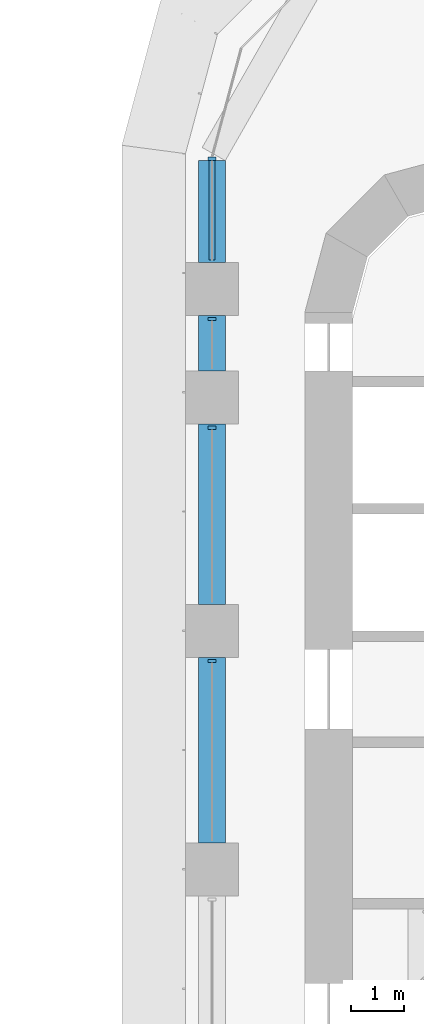
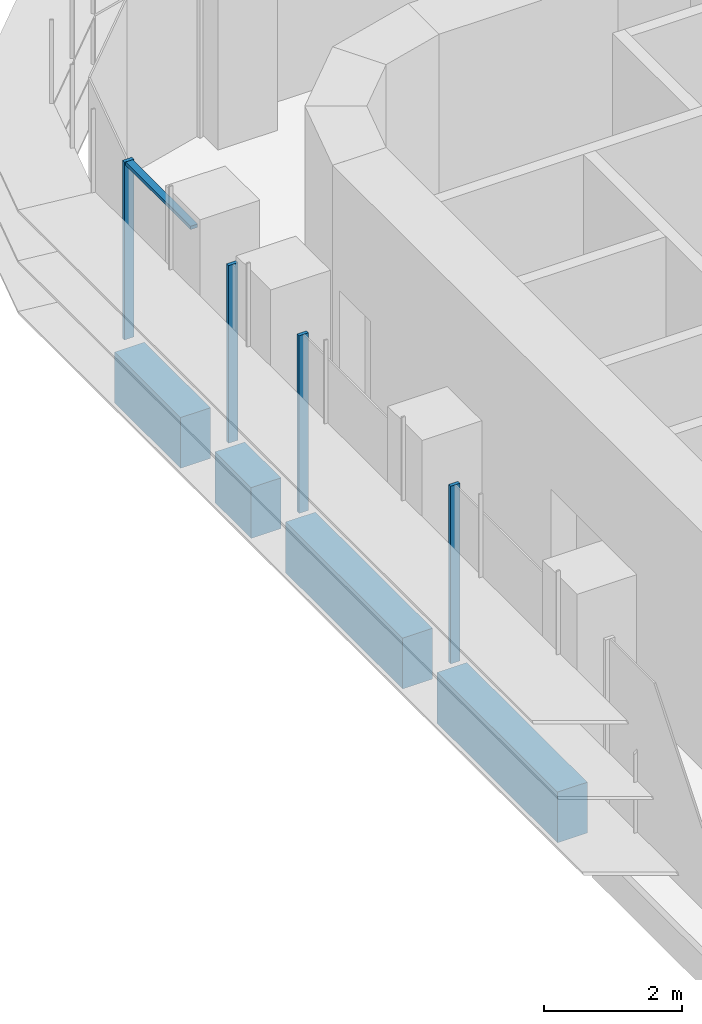
# One storey, part 7 of 23: 5 members, 4 beams, 1 element without a shape of its own.
"""IFC4 building model written with IfcOpenShell, lengths in metres."""

from ifc_helpers import new_model, si_unit, direction, frame, origin, origin_2d, place, context, subcontext, project, spatial, polyline, rectangle, outline, extrude, source, transform, mapped, material, material_profile, profile_set, type_object, element, aggregate, save


model = new_model("IFC4")

# Units and contexts
model_context = context("Model", 3, precision=1e-05, world=origin(), true_north=direction((0.0, 1.0)))
body_context = subcontext(model_context, "Body", "Model", "MODEL_VIEW")
ifc_project = project(units=[si_unit("LENGTHUNIT", "METRE"), si_unit("AREAUNIT", "SQUARE_METRE"), si_unit("VOLUMEUNIT", "CUBIC_METRE"), si_unit("PLANEANGLEUNIT", "RADIAN"), si_unit("MASSUNIT", "GRAM", prefix="KILO")], contexts=[model_context])

# Site, building, storey
site_placement = place(None, origin())
site = spatial("IfcSite", under=ifc_project, at=site_placement, CompositionType="ELEMENT")
building_placement = place(site_placement, origin())
building = spatial("IfcBuilding", under=site, at=building_placement, Name="Zarbagh Exchange Tower", CompositionType="ELEMENT")
storey_placement = place(building_placement, frame((0.0, 0.0, 52.199951171875)))
storey = spatial("IfcBuildingStorey", under=building, at=storey_placement, Name="L11", CompositionType="ELEMENT", Elevation=52.199951171875)

# Beams
ifc_material_1 = material(Name="Concrete C60/75", Category="concrete")
ifc_material_profile = material_profile(ifc_material_1, rectangle(XDim=0.5, YDim=0.89990234375, at=origin_2d()), Name="RC spandrel beam 500 x 900 C60/75")
ifc_profile_set = profile_set([ifc_material_profile], Name="Concrete C60/75")
beam_type = type_object("IfcBeamType", Name="RC spandrel beam 500 x 900 C60/75", PredefinedType="SPANDREL", material=ifc_profile_set)
beam_1_placement = place(storey_placement, frame((-6.25, 16.25, -0.599853515625), z_axis=(0.0, 1.0, 0.0), x_axis=(-1.0, 0.0, 0.0)))
element("IfcBeam", 1, at=beam_1_placement, inside=storey, type_object=beam_type, Name="RC spandrel beam", PredefinedType="SPANDREL", context=body_context, shape_type="SweptSolid", body=[
    extrude(rectangle(XDim=0.5, YDim=0.89990234375, at=origin_2d()), origin(), (0.0, 0.0, 1.0), 3.5),
])
beam_2_placement = place(storey_placement, frame((-6.25, 20.75, -0.599853515625), z_axis=(0.0, 1.0, 0.0), x_axis=(-1.0, 0.0, 0.0)))
element("IfcBeam", 2, at=beam_2_placement, inside=storey, type_object=beam_type, Name="RC spandrel beam", PredefinedType="SPANDREL", context=body_context, shape_type="SweptSolid", body=[
    extrude(rectangle(XDim=0.5, YDim=0.89990234375, at=origin_2d()), origin(), (0.0, 0.0, 1.0), 3.39990234375),
])
beam_3_placement = place(storey_placement, frame((-6.25, 25.14990234375, -0.599853515625), z_axis=(0.0, 1.0, 0.0), x_axis=(-1.0, 0.0, 0.0)))
element("IfcBeam", 3, at=beam_3_placement, inside=storey, type_object=beam_type, Name="RC spandrel beam", PredefinedType="SPANDREL", context=body_context, shape_type="SweptSolid", body=[
    extrude(rectangle(XDim=0.5, YDim=0.89990234375, at=origin_2d()), origin(), (0.0, 0.0, 1.0), 1.050048828125),
])
beam_4_placement = place(storey_placement, frame((-6.25, 27.199951171875, -0.599853515625), z_axis=(0.0, 1.0, 0.0), x_axis=(-1.0, 0.0, 0.0)))
element("IfcBeam", 4, at=beam_4_placement, inside=storey, type_object=beam_type, Name="RC spandrel beam", PredefinedType="SPANDREL", context=body_context, shape_type="SweptSolid", body=[
    extrude(rectangle(XDim=0.5, YDim=0.89990234375, at=origin_2d()), origin(), (0.0, 0.0, 1.0), 1.91796875),
])

# Curtain wall, members
ifc_material_2 = material(Name="Anodised aluminium frame and glazing", Category="aluminium")
curtain_wall_type = type_object("IfcCurtainWallType", Name="CWA Ribbon glazing, lower zones", PredefinedType="NOTDEFINED", material=ifc_material_2)
curtain_wall_placement = place(storey_placement, origin())
curtain_wall = element("IfcCurtainWall", 5, at=curtain_wall_placement, inside=storey, type_object=curtain_wall_type, Name="CWA28 curtain wall", PredefinedType="NOTDEFINED")
ifc_material_3 = material(Name="Anodised aluminium frame", Category="aluminium")
member_type_1 = type_object("IfcMemberType", Name="MUA Mullion, anodised aluminium frame", PredefinedType="MULLION", material=ifc_material_3)
shared_shape_1 = source(origin(), body_context, "Body", "SweptSolid", [
    extrude(outline(polyline([(0.0, -0.080078125), (0.06005859375, -0.080078125), (0.06005859375, 0.080078125), (0.0, 0.080078125), (0.0, -0.080078125)])), origin(), (0.0, 0.0, 1.0), 3.14990234375),
])
placement = place(storey_placement, origin())
member_1 = element("IfcMember", 6, at=placement, type_object=member_type_1, Name="CWA28 mullion 1.1", PredefinedType="MULLION", context=body_context, shape_type="MappedRepresentation", body=[
    mapped(shared_shape_1, transform((-6.25, 29.18408203125, 0.0), x_axis=(0.0, -1.0, 0.0), y_axis=(1.0, 0.0, 0.0), z_axis=(0.0, 0.0, 1.0))),
])
member_2 = element("IfcMember", 7, at=placement, type_object=member_type_1, Name="CWA28 mullion 2.1", PredefinedType="MULLION", context=body_context, shape_type="MappedRepresentation", body=[
    mapped(shared_shape_1, transform((-6.25, 26.159912109375, 0.0), x_axis=(0.0, -1.0, 0.0), y_axis=(1.0, 0.0, 0.0), z_axis=(0.0, 0.0, 1.0))),
])
member_3 = element("IfcMember", 8, at=placement, type_object=member_type_1, Name="CWA28 mullion 3.1", PredefinedType="MULLION", context=body_context, shape_type="MappedRepresentation", body=[
    mapped(shared_shape_1, transform((-6.25, 24.10986328125, 0.0), x_axis=(0.0, -1.0, 0.0), y_axis=(1.0, 0.0, 0.0), z_axis=(0.0, 0.0, 1.0))),
])
member_4 = element("IfcMember", 9, at=placement, type_object=member_type_1, Name="CWA28 mullion 4.1", PredefinedType="MULLION", context=body_context, shape_type="MappedRepresentation", body=[
    mapped(shared_shape_1, transform((-6.25, 19.7099609375, 0.0), x_axis=(0.0, -1.0, 0.0), y_axis=(1.0, 0.0, 0.0), z_axis=(0.0, 0.0, 1.0))),
])
member_type_2 = type_object("IfcMemberType", Name="TRA Transom, anodised aluminium frame", PredefinedType="USERDEFINED", material=ifc_material_3)
shared_shape_2 = source(origin(), body_context, "Body", "SweptSolid", [
    extrude(outline(polyline([(-0.06005859375, -0.06005859375), (0.0, -0.06005859375), (0.0, 0.06005859375), (-0.06005859375, 0.06005859375), (-0.06005859375, -0.06005859375)])), origin(), (0.0, 0.0, 1.0), 1.88427734375),
])
member_5 = element("IfcMember", 10, at=placement, type_object=member_type_2, Name="CWA28 transom 1.1", ObjectType="TRANSOM", PredefinedType="USERDEFINED", context=body_context, shape_type="MappedRepresentation", body=[
    mapped(shared_shape_2, transform((-6.25, 29.124267578125, 3.150146484375), x_axis=(0.0, 0.0, 1.0), y_axis=(-1.0, 0.0, 0.0), z_axis=(0.0, -1.0, 0.0))),
])
aggregate(curtain_wall, [member_1, member_5, member_2, member_3, member_4])

save(model, "model.ifc")
